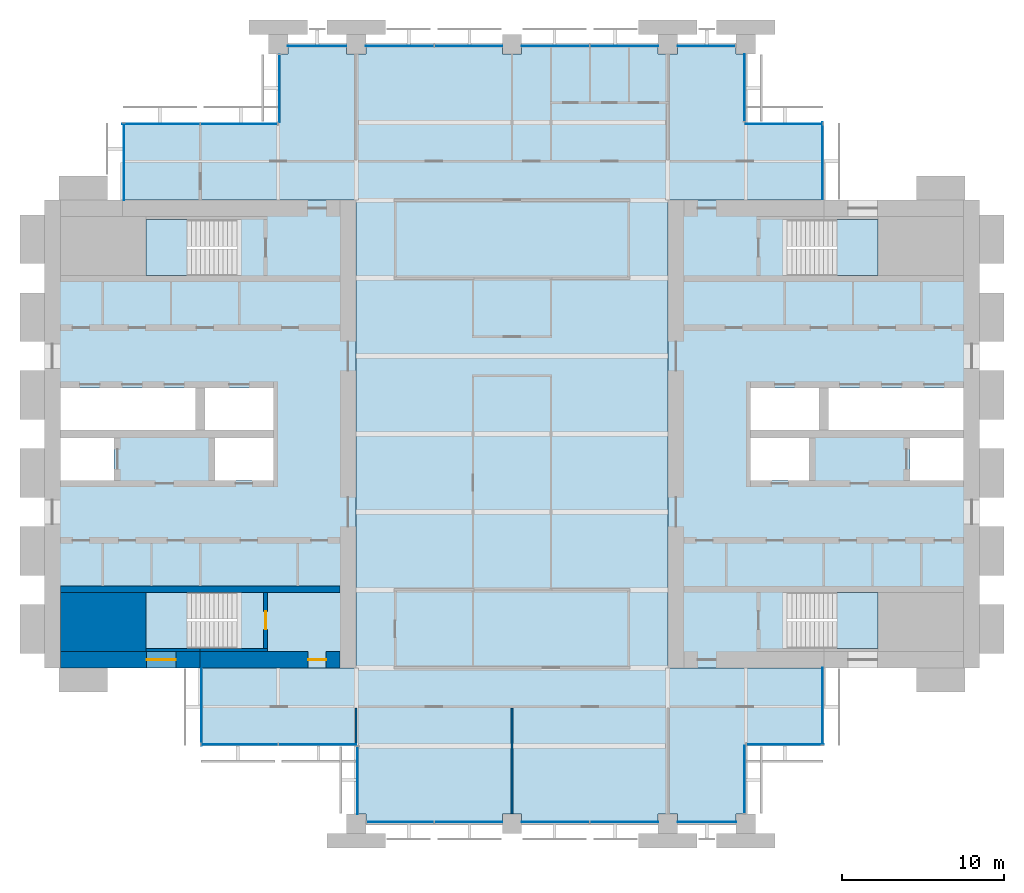
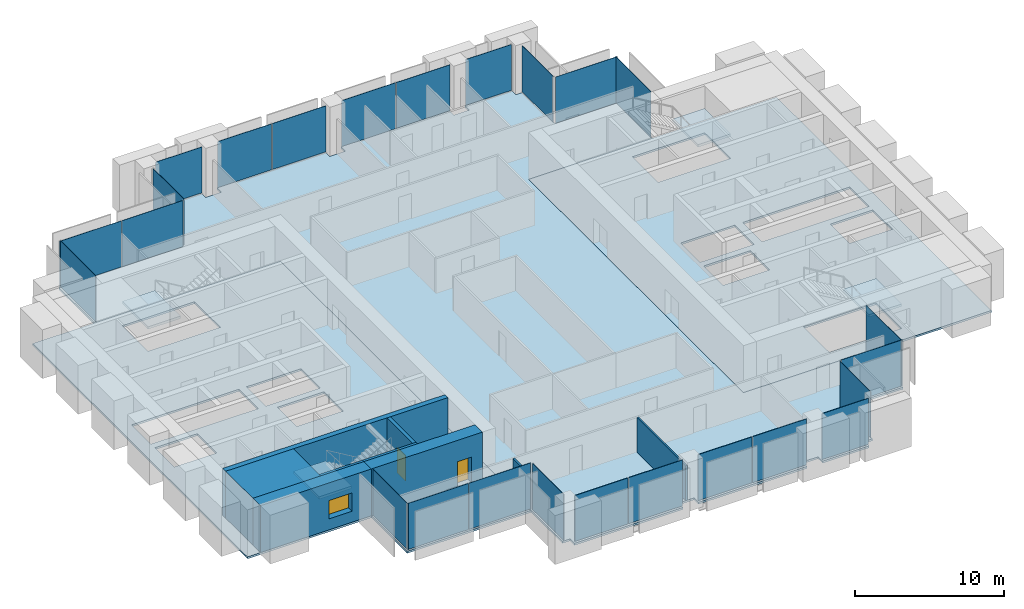
# One storey, part 8 of 14: 25 plates, 9 walls, 7 slabs, 2 doors, 1 window, 3 openings, 18 elements without a shape of their own.
"""IFC4 building model written with IfcOpenShell, lengths in metres."""

from ifc_helpers import new_model, si_unit, direction, frame, frame_2d, origin, origin_2d, place, context, subcontext, project, spatial, polyline, rectangle, outline, extrude, material, layer, layer_set, type_object, element, fill, aggregate, save


model = new_model("IFC4")

# Units and contexts
model_context = context("Model", 3, precision=1e-05, world=origin(), true_north=direction((0.0, 1.0)))
body_context = subcontext(model_context, "Body", "Model", "MODEL_VIEW")
ifc_project = project(units=[si_unit("LENGTHUNIT", "METRE"), si_unit("AREAUNIT", "SQUARE_METRE"), si_unit("VOLUMEUNIT", "CUBIC_METRE"), si_unit("PLANEANGLEUNIT", "RADIAN"), si_unit("MASSUNIT", "GRAM", prefix="KILO")], contexts=[model_context])

# Site, building, storey
site_placement = place(None, origin())
site = spatial("IfcSite", under=ifc_project, at=site_placement, CompositionType="ELEMENT")
building_placement = place(site_placement, origin())
building = spatial("IfcBuilding", under=site, at=building_placement, Name="Baori Bourse Tower", CompositionType="ELEMENT")
storey_placement = place(building_placement, frame((0.0, 0.0, 160.10009765625)))
storey = spatial("IfcBuildingStorey", under=building, at=storey_placement, Name="L35", CompositionType="ELEMENT", Elevation=160.10009765625)

# Curtain wall, plates
ifc_material_1 = material(Name="Pale anodised aluminium", Category="aluminium")
curtain_wall_type_1 = type_object("IfcCurtainWallType", Name="CW1 Curtain wall", PredefinedType="NOTDEFINED", material=ifc_material_1)
curtain_wall_1_placement = place(storey_placement, origin())
curtain_wall_1 = element("IfcCurtainWall", 1, at=curtain_wall_1_placement, inside=storey, type_object=curtain_wall_type_1, Name="Curtain wall CW1 L35 4", PredefinedType="NOTDEFINED")
ifc_material_2 = material(Name="Clear glass", Category="glass")
ifc_layer_1 = layer(ifc_material_2, 0.033935546875)
ifc_layer_set_1 = layer_set([ifc_layer_1], Name="CW1 Curtain wall panel")
plate_type_1 = type_object("IfcPlateType", Name="CW1 Curtain wall panel", PredefinedType="CURTAIN_PANEL", material=ifc_layer_set_1)
plate_1_placement = place(storey_placement, frame((40.77001953125, 47.89990234375, 0.080078125), z_axis=(0.0, 0.0, 1.0), x_axis=(-1.0, 0.0, 0.0)))
plate_1 = element("IfcPlate", 2, at=plate_1_placement, type_object=plate_type_1, Name="Curtain wall CW1 panel", PredefinedType="CURTAIN_PANEL", context=body_context, shape_type="SweptSolid", body=[
    extrude(rectangle(XDim=3.5400390625, YDim=0.033935546875, at=origin_2d()), origin(), (0.0, 0.0, 1.0), 3.760009765625),
])
plate_2_placement = place(storey_placement, frame((35.715087890625, 47.89990234375, 0.080078125), z_axis=(0.0, 0.0, 1.0), x_axis=(-1.0, 0.0, 0.0)))
plate_2 = element("IfcPlate", 3, at=plate_2_placement, type_object=plate_type_1, Name="Curtain wall CW1 panel", PredefinedType="CURTAIN_PANEL", context=body_context, shape_type="SweptSolid", body=[
    extrude(rectangle(XDim=4.169921875, YDim=0.033935546875, at=origin_2d()), origin(), (0.0, 0.0, 1.0), 3.760009765625),
])
plate_3_placement = place(storey_placement, frame((31.485107421875, 47.89990234375, 0.080078125), z_axis=(0.0, 0.0, 1.0), x_axis=(-1.0, 0.0, 0.0)))
plate_3 = element("IfcPlate", 4, at=plate_3_placement, type_object=plate_type_1, Name="Curtain wall CW1 panel", PredefinedType="CURTAIN_PANEL", context=body_context, shape_type="SweptSolid", body=[
    extrude(rectangle(XDim=4.169921875, YDim=0.033935546875, at=origin_2d()), origin(), (0.0, 0.0, 1.0), 3.760009765625),
])
plate_4_placement = place(storey_placement, frame((26.114990234375, 47.89990234375, 0.080078125), z_axis=(0.0, 0.0, 1.0), x_axis=(-1.0, 0.0, 0.0)))
plate_4 = element("IfcPlate", 5, at=plate_4_placement, type_object=plate_type_1, Name="Curtain wall CW1 panel", PredefinedType="CURTAIN_PANEL", context=body_context, shape_type="SweptSolid", body=[
    extrude(rectangle(XDim=4.169921875, YDim=0.033935546875, at=origin_2d()), origin(), (0.0, 0.0, 1.0), 3.760009765625),
])
plate_5_placement = place(storey_placement, frame((21.885009765625, 47.89990234375, 0.080078125), z_axis=(0.0, 0.0, 1.0), x_axis=(-1.0, 0.0, 0.0)))
plate_5 = element("IfcPlate", 6, at=plate_5_placement, type_object=plate_type_1, Name="Curtain wall CW1 panel", PredefinedType="CURTAIN_PANEL", context=body_context, shape_type="SweptSolid", body=[
    extrude(rectangle(XDim=4.169921875, YDim=0.033935546875, at=origin_2d()), origin(), (0.0, 0.0, 1.0), 3.760009765625),
])
plate_6_placement = place(storey_placement, frame((16.800048828125, 47.89990234375, 0.080078125), z_axis=(0.0, 0.0, 1.0), x_axis=(-1.0, 0.0, 0.0)))
plate_6 = element("IfcPlate", 7, at=plate_6_placement, type_object=plate_type_1, Name="Curtain wall CW1 panel", PredefinedType="CURTAIN_PANEL", context=body_context, shape_type="SweptSolid", body=[
    extrude(rectangle(XDim=3.60009765625, YDim=0.033935546875, at=origin_2d()), origin(), (0.0, 0.0, 1.0), 3.760009765625),
])
aggregate(curtain_wall_1, [plate_1, plate_2, plate_3, plate_4, plate_5, plate_6])

curtain_wall_2_placement = place(storey_placement, origin())
curtain_wall_2 = element("IfcCurtainWall", 8, at=curtain_wall_2_placement, inside=storey, type_object=curtain_wall_type_1, Name="Curtain wall CW1 L35 11", PredefinedType="NOTDEFINED")
plate_7_placement = place(storey_placement, frame((21.9150390625, 0.10009765625, 0.080078125), z_axis=(0.0, 0.0, 1.0), x_axis=(1.0, 0.0, 0.0)))
plate_7 = element("IfcPlate", 9, at=plate_7_placement, type_object=plate_type_1, Name="Curtain wall CW1 panel", PredefinedType="CURTAIN_PANEL", context=body_context, shape_type="SweptSolid", body=[
    extrude(rectangle(XDim=4.110107421875, YDim=0.033935546875, at=origin_2d()), origin(), (0.0, 0.0, 1.0), 3.760009765625),
])
plate_8_placement = place(storey_placement, frame((26.114990234375, 0.10009765625, 0.080078125), z_axis=(0.0, 0.0, 1.0), x_axis=(1.0, 0.0, 0.0)))
plate_8 = element("IfcPlate", 10, at=plate_8_placement, type_object=plate_type_1, Name="Curtain wall CW1 panel", PredefinedType="CURTAIN_PANEL", context=body_context, shape_type="SweptSolid", body=[
    extrude(rectangle(XDim=4.169921875, YDim=0.033935546875, at=origin_2d()), origin(), (0.0, 0.0, 1.0), 3.760009765625),
])
plate_9_placement = place(storey_placement, frame((31.485107421875, 0.10009765625, 0.080078125), z_axis=(0.0, 0.0, 1.0), x_axis=(1.0, 0.0, 0.0)))
plate_9 = element("IfcPlate", 11, at=plate_9_placement, type_object=plate_type_1, Name="Curtain wall CW1 panel", PredefinedType="CURTAIN_PANEL", context=body_context, shape_type="SweptSolid", body=[
    extrude(rectangle(XDim=4.169921875, YDim=0.033935546875, at=origin_2d()), origin(), (0.0, 0.0, 1.0), 3.760009765625),
])
plate_10_placement = place(storey_placement, frame((35.715087890625, 0.10009765625, 0.080078125), z_axis=(0.0, 0.0, 1.0), x_axis=(1.0, 0.0, 0.0)))
plate_10 = element("IfcPlate", 12, at=plate_10_placement, type_object=plate_type_1, Name="Curtain wall CW1 panel", PredefinedType="CURTAIN_PANEL", context=body_context, shape_type="SweptSolid", body=[
    extrude(rectangle(XDim=4.169921875, YDim=0.033935546875, at=origin_2d()), origin(), (0.0, 0.0, 1.0), 3.760009765625),
])
plate_11_placement = place(storey_placement, frame((40.800048828125, 0.10009765625, 0.080078125), z_axis=(0.0, 0.0, 1.0), x_axis=(1.0, 0.0, 0.0)))
plate_11 = element("IfcPlate", 13, at=plate_11_placement, type_object=plate_type_1, Name="Curtain wall CW1 panel", PredefinedType="CURTAIN_PANEL", context=body_context, shape_type="SweptSolid", body=[
    extrude(rectangle(XDim=3.60009765625, YDim=0.033935546875, at=origin_2d()), origin(), (0.0, 0.0, 1.0), 3.760009765625),
])
aggregate(curtain_wall_2, [plate_7, plate_8, plate_9, plate_10, plate_11])

# Curtain wall, plate
ifc_material_3 = material(Name="Pale anodised aluminium", Category="aluminium")
curtain_wall_type_2 = type_object("IfcCurtainWallType", Name="CW2 Curtain wall", PredefinedType="NOTDEFINED", material=ifc_material_3)
curtain_wall_3_placement = place(storey_placement, origin())
curtain_wall_3 = element("IfcCurtainWall", 14, at=curtain_wall_3_placement, inside=storey, type_object=curtain_wall_type_2, Name="Curtain wall CW2 L35 1", PredefinedType="NOTDEFINED")
ifc_material_4 = material(Name="Clear glass", Category="glass")
ifc_layer_2 = layer(ifc_material_4, 0.030029296875)
ifc_layer_set_2 = layer_set([ifc_layer_2], Name="CW2 Curtain wall panel")
plate_type_2 = type_object("IfcPlateType", Name="CW2 Curtain wall panel", PredefinedType="CURTAIN_PANEL", material=ifc_layer_set_2)
plate_12_placement = place(storey_placement, frame((47.909912109375, 40.827392578125, 0.06982421875), z_axis=(0.0, 0.0, 1.0), x_axis=(0.0, 1.0, 0.0)))
plate_12 = element("IfcPlate", 15, at=plate_12_placement, type_object=plate_type_2, Name="Curtain wall CW2 panel", PredefinedType="CURTAIN_PANEL", context=body_context, shape_type="SweptSolid", body=[
    extrude(rectangle(XDim=4.7451171875, YDim=0.030029296875, at=origin_2d()), origin(), (0.0, 0.0, 1.0), 3.77001953125),
])
aggregate(curtain_wall_3, [plate_12])

curtain_wall_4_placement = place(storey_placement, origin())
curtain_wall_4 = element("IfcCurtainWall", 16, at=curtain_wall_4_placement, inside=storey, type_object=curtain_wall_type_2, Name="Curtain wall CW2 L35 2", PredefinedType="NOTDEFINED")
plate_13_placement = place(storey_placement, frame((45.572509765625, 43.110107421875, 0.06982421875), z_axis=(0.0, 0.0, 1.0), x_axis=(-1.0, 0.0, 0.0)))
plate_13 = element("IfcPlate", 17, at=plate_13_placement, type_object=plate_type_2, Name="Curtain wall CW2 panel", PredefinedType="CURTAIN_PANEL", context=body_context, shape_type="SweptSolid", body=[
    extrude(rectangle(XDim=4.7451171875, YDim=0.030029296875, at=origin_2d()), origin(), (0.0, 0.0, 1.0), 3.77001953125),
])
aggregate(curtain_wall_4, [plate_13])

curtain_wall_5_placement = place(storey_placement, origin())
curtain_wall_5 = element("IfcCurtainWall", 18, at=curtain_wall_5_placement, inside=storey, type_object=curtain_wall_type_2, Name="Curtain wall CW2 L35 3", PredefinedType="NOTDEFINED")
plate_14_placement = place(storey_placement, frame((43.110107421875, 45.327392578125, 0.06982421875), z_axis=(0.0, 0.0, 1.0), x_axis=(0.0, 1.0, 0.0)))
plate_14 = element("IfcPlate", 19, at=plate_14_placement, type_object=plate_type_2, Name="Curtain wall CW2 panel", PredefinedType="CURTAIN_PANEL", context=body_context, shape_type="SweptSolid", body=[
    extrude(rectangle(XDim=4.14501953125, YDim=0.030029296875, at=origin_2d()), origin(), (0.0, 0.0, 1.0), 3.77001953125),
])
aggregate(curtain_wall_5, [plate_14])

curtain_wall_6_placement = place(storey_placement, origin())
curtain_wall_6 = element("IfcCurtainWall", 20, at=curtain_wall_6_placement, inside=storey, type_object=curtain_wall_type_2, Name="Curtain wall CW2 L35 5", PredefinedType="NOTDEFINED")
plate_15_placement = place(storey_placement, frame((14.489990234375, 45.2724609375, 0.06982421875), z_axis=(0.0, 0.0, 1.0), x_axis=(0.0, -1.0, 0.0)))
plate_15 = element("IfcPlate", 21, at=plate_15_placement, type_object=plate_type_2, Name="Curtain wall CW2 panel", PredefinedType="CURTAIN_PANEL", context=body_context, shape_type="SweptSolid", body=[
    extrude(rectangle(XDim=4.14501953125, YDim=0.030029296875, at=origin_2d()), origin(), (0.0, 0.0, 1.0), 3.77001953125),
])
aggregate(curtain_wall_6, [plate_15])

# Curtain wall, plates
curtain_wall_7_placement = place(storey_placement, origin())
curtain_wall_7 = element("IfcCurtainWall", 22, at=curtain_wall_7_placement, inside=storey, type_object=curtain_wall_type_2, Name="Curtain wall CW2 L35 6", PredefinedType="NOTDEFINED")
plate_16_placement = place(storey_placement, frame((11.986328125, 43.110107421875, 0.06982421875), z_axis=(0.0, 0.0, 1.0), x_axis=(-1.0, 0.0, 0.0)))
plate_16 = element("IfcPlate", 23, at=plate_16_placement, type_object=plate_type_2, Name="Curtain wall CW2 panel", PredefinedType="CURTAIN_PANEL", context=body_context, shape_type="SweptSolid", body=[
    extrude(rectangle(XDim=4.717529296875, YDim=0.030029296875, at=origin_2d()), origin(), (0.0, 0.0, 1.0), 3.77001953125),
])
plate_17_placement = place(storey_placement, frame((7.186279296875, 43.110107421875, 0.06982421875), z_axis=(0.0, 0.0, 1.0), x_axis=(-1.0, 0.0, 0.0)))
plate_17 = element("IfcPlate", 24, at=plate_17_placement, type_object=plate_type_2, Name="Curtain wall CW2 panel", PredefinedType="CURTAIN_PANEL", context=body_context, shape_type="SweptSolid", body=[
    extrude(rectangle(XDim=4.7724609375, YDim=0.030029296875, at=origin_2d()), origin(), (0.0, 0.0, 1.0), 3.77001953125),
])
aggregate(curtain_wall_7, [plate_16, plate_17])

# Curtain wall, plate
curtain_wall_8_placement = place(storey_placement, origin())
curtain_wall_8 = element("IfcCurtainWall", 25, at=curtain_wall_8_placement, inside=storey, type_object=curtain_wall_type_2, Name="Curtain wall CW2 L35 7", PredefinedType="NOTDEFINED")
plate_18_placement = place(storey_placement, frame((4.889892578125, 40.7724609375, 0.06982421875), z_axis=(0.0, 0.0, 1.0), x_axis=(0.0, -1.0, 0.0)))
plate_18 = element("IfcPlate", 26, at=plate_18_placement, type_object=plate_type_2, Name="Curtain wall CW2 panel", PredefinedType="CURTAIN_PANEL", context=body_context, shape_type="SweptSolid", body=[
    extrude(rectangle(XDim=4.7451171875, YDim=0.030029296875, at=origin_2d()), origin(), (0.0, 0.0, 1.0), 3.77001953125),
])
aggregate(curtain_wall_8, [plate_18])

curtain_wall_9_placement = place(storey_placement, origin())
curtain_wall_9 = element("IfcCurtainWall", 27, at=curtain_wall_9_placement, inside=storey, type_object=curtain_wall_type_2, Name="Curtain wall CW2 L35 8", PredefinedType="NOTDEFINED")
plate_19_placement = place(storey_placement, frame((9.68994140625, 7.172607421875, 0.06982421875), z_axis=(0.0, 0.0, 1.0), x_axis=(0.0, -1.0, 0.0)))
plate_19 = element("IfcPlate", 28, at=plate_19_placement, type_object=plate_type_2, Name="Curtain wall CW2 panel", PredefinedType="CURTAIN_PANEL", context=body_context, shape_type="SweptSolid", body=[
    extrude(rectangle(XDim=4.7451171875, YDim=0.030029296875, at=origin_2d()), origin(), (0.0, 0.0, 1.0), 3.77001953125),
])
aggregate(curtain_wall_9, [plate_19])

# Curtain wall, plates
curtain_wall_10_placement = place(storey_placement, origin())
curtain_wall_10 = element("IfcCurtainWall", 29, at=curtain_wall_10_placement, inside=storey, type_object=curtain_wall_type_2, Name="Curtain wall CW2 L35 9", PredefinedType="NOTDEFINED")
plate_20_placement = place(storey_placement, frame((12.013671875, 4.889892578125, 0.06982421875), z_axis=(0.0, 0.0, 1.0), x_axis=(1.0, 0.0, 0.0)))
plate_20 = element("IfcPlate", 30, at=plate_20_placement, type_object=plate_type_2, Name="Curtain wall CW2 panel", PredefinedType="CURTAIN_PANEL", context=body_context, shape_type="SweptSolid", body=[
    extrude(rectangle(XDim=4.717529296875, YDim=0.030029296875, at=origin_2d()), origin(), (0.0, 0.0, 1.0), 3.77001953125),
])
plate_21_placement = place(storey_placement, frame((16.813720703125, 4.889892578125, 0.06982421875), z_axis=(0.0, 0.0, 1.0), x_axis=(1.0, 0.0, 0.0)))
plate_21 = element("IfcPlate", 31, at=plate_21_placement, type_object=plate_type_2, Name="Curtain wall CW2 panel", PredefinedType="CURTAIN_PANEL", context=body_context, shape_type="SweptSolid", body=[
    extrude(rectangle(XDim=4.7724609375, YDim=0.030029296875, at=origin_2d()), origin(), (0.0, 0.0, 1.0), 3.77001953125),
])
aggregate(curtain_wall_10, [plate_20, plate_21])

# Curtain wall, plate
curtain_wall_11_placement = place(storey_placement, origin())
curtain_wall_11 = element("IfcCurtainWall", 32, at=curtain_wall_11_placement, inside=storey, type_object=curtain_wall_type_2, Name="Curtain wall CW2 L35 10", PredefinedType="NOTDEFINED")
plate_22_placement = place(storey_placement, frame((19.2900390625, 2.672607421875, 0.06982421875), z_axis=(0.0, 0.0, 1.0), x_axis=(0.0, -1.0, 0.0)))
plate_22 = element("IfcPlate", 33, at=plate_22_placement, type_object=plate_type_2, Name="Curtain wall CW2 panel", PredefinedType="CURTAIN_PANEL", context=body_context, shape_type="SweptSolid", body=[
    extrude(rectangle(XDim=4.14501953125, YDim=0.030029296875, at=origin_2d()), origin(), (0.0, 0.0, 1.0), 3.77001953125),
])
aggregate(curtain_wall_11, [plate_22])

curtain_wall_12_placement = place(storey_placement, origin())
curtain_wall_12 = element("IfcCurtainWall", 34, at=curtain_wall_12_placement, inside=storey, type_object=curtain_wall_type_2, Name="Curtain wall CW2 L35 12", PredefinedType="NOTDEFINED")
plate_23_placement = place(storey_placement, frame((43.110107421875, 2.7275390625, 0.06982421875), z_axis=(0.0, 0.0, 1.0), x_axis=(0.0, 1.0, 0.0)))
plate_23 = element("IfcPlate", 35, at=plate_23_placement, type_object=plate_type_2, Name="Curtain wall CW2 panel", PredefinedType="CURTAIN_PANEL", context=body_context, shape_type="SweptSolid", body=[
    extrude(rectangle(XDim=4.14501953125, YDim=0.030029296875, at=origin_2d()), origin(), (0.0, 0.0, 1.0), 3.77001953125),
])
aggregate(curtain_wall_12, [plate_23])

curtain_wall_13_placement = place(storey_placement, origin())
curtain_wall_13 = element("IfcCurtainWall", 36, at=curtain_wall_13_placement, inside=storey, type_object=curtain_wall_type_2, Name="Curtain wall CW2 L35 13", PredefinedType="NOTDEFINED")
plate_24_placement = place(storey_placement, frame((45.62744140625, 4.889892578125, 0.06982421875), z_axis=(0.0, 0.0, 1.0), x_axis=(1.0, 0.0, 0.0)))
plate_24 = element("IfcPlate", 37, at=plate_24_placement, type_object=plate_type_2, Name="Curtain wall CW2 panel", PredefinedType="CURTAIN_PANEL", context=body_context, shape_type="SweptSolid", body=[
    extrude(rectangle(XDim=4.7451171875, YDim=0.030029296875, at=origin_2d()), origin(), (0.0, 0.0, 1.0), 3.77001953125),
])
aggregate(curtain_wall_13, [plate_24])

curtain_wall_14_placement = place(storey_placement, origin())
curtain_wall_14 = element("IfcCurtainWall", 38, at=curtain_wall_14_placement, inside=storey, type_object=curtain_wall_type_2, Name="Curtain wall CW2 L35 14", PredefinedType="NOTDEFINED")
plate_25_placement = place(storey_placement, frame((47.909912109375, 7.2275390625, 0.06982421875), z_axis=(0.0, 0.0, 1.0), x_axis=(0.0, 1.0, 0.0)))
plate_25 = element("IfcPlate", 39, at=plate_25_placement, type_object=plate_type_2, Name="Curtain wall CW2 panel", PredefinedType="CURTAIN_PANEL", context=body_context, shape_type="SweptSolid", body=[
    extrude(rectangle(XDim=4.7451171875, YDim=0.030029296875, at=origin_2d()), origin(), (0.0, 0.0, 1.0), 3.77001953125),
])
aggregate(curtain_wall_14, [plate_25])

# Slabs
ifc_material_5 = material(Name="Concrete f'c 50 MPa", Category="concrete")
ifc_layer_3 = layer(ifc_material_5, 0.159912109375)
ifc_layer_set_3 = layer_set([ifc_layer_3], Name="Core slab 160")
slab_type_1 = type_object("IfcSlabType", Name="Core slab 160", PredefinedType="FLOOR", material=ifc_layer_set_3)
slab_1_placement = place(storey_placement, frame((0.0, 0.0, -0.16015625)))
element("IfcSlab", 40, at=slab_1_placement, inside=storey, type_object=slab_type_1, Name="Core floor slab W01", PredefinedType="FLOOR", context=body_context, shape_type="SweptSolid", body=[
    extrude(outline(polyline([(0.0, 38.39990234375), (0.0, 9.60009765625), (19.199951171875, 9.60009765625), (19.199951171875, 38.39990234375), (0.0, 38.39990234375)]), holes=[polyline([(10.5, 21.14990234375), (10.5, 23.75), (14.10009765625, 23.75), (14.10009765625, 21.14990234375), (10.5, 21.14990234375)]), polyline([(14.10009765625, 24.25), (9.89990234375, 24.25), (9.89990234375, 26.85009765625), (14.10009765625, 26.85009765625), (14.10009765625, 24.25)]), polyline([(6.25, 14.25), (11.84912109375, 14.25), (11.84912109375, 10.800048828125), (6.25, 10.800048828125), (6.25, 14.25)]), polyline([(11.84912109375, 37.199951171875), (11.84912109375, 33.75), (6.25, 33.75), (6.25, 37.199951171875), (11.84912109375, 37.199951171875)]), polyline([(1.0, 26.85009765625), (9.300048828125, 26.85009765625), (9.300048828125, 24.25), (1.0, 24.25), (1.0, 26.85009765625)]), polyline([(4.300048828125, 23.75), (4.300048828125, 21.14990234375), (1.0, 21.14990234375), (1.0, 23.75), (4.300048828125, 23.75)])]), origin(), (0.0, 0.0, 1.0), 0.16015625),
])
slab_2_placement = place(storey_placement, frame((0.0, 0.0, -0.16015625)))
element("IfcSlab", 41, at=slab_2_placement, inside=storey, type_object=slab_type_1, Name="Core floor slab E01", PredefinedType="FLOOR", context=body_context, shape_type="SweptSolid", body=[
    extrude(outline(polyline([(57.60009765625, 38.39990234375), (38.39990234375, 38.39990234375), (38.39990234375, 9.60009765625), (57.60009765625, 9.60009765625), (57.60009765625, 38.39990234375)]), holes=[polyline([(56.60009765625, 21.14990234375), (53.300048828125, 21.14990234375), (53.300048828125, 23.75), (56.60009765625, 23.75), (56.60009765625, 21.14990234375)]), polyline([(56.60009765625, 26.85009765625), (56.60009765625, 24.25), (48.300048828125, 24.25), (48.300048828125, 26.85009765625), (56.60009765625, 26.85009765625)]), polyline([(45.750732421875, 14.25), (51.35009765625, 14.25), (51.35009765625, 10.800048828125), (45.750732421875, 10.800048828125), (45.750732421875, 14.25)]), polyline([(51.35009765625, 37.199951171875), (51.35009765625, 33.75), (45.750732421875, 33.75), (45.750732421875, 37.199951171875), (51.35009765625, 37.199951171875)]), polyline([(43.5, 24.25), (43.5, 26.85009765625), (47.699951171875, 26.85009765625), (47.699951171875, 24.25), (43.5, 24.25)]), polyline([(43.5, 23.75), (47.10009765625, 23.75), (47.10009765625, 21.14990234375), (43.5, 21.14990234375), (43.5, 23.75)])]), origin(), (0.0, 0.0, 1.0), 0.16015625),
])

# Stair, slab
ifc_material_6 = material(Name="Concrete f'c 50 MPa", Category="concrete")
stair_type = type_object("IfcStairType", Name="Core stair", PredefinedType="HALF_TURN_STAIR", material=ifc_material_6)
stair_1_placement = place(storey_placement, origin())
stair_1 = element("IfcStair", 42, at=stair_1_placement, inside=storey, type_object=stair_type, Name="L35 Stair WA", PredefinedType="HALF_TURN_STAIR")
ifc_material_7 = material(Name="Concrete f'c 50 MPa", Category="concrete")
slab_type_2 = type_object("IfcSlabType", Name="Core stair landing", PredefinedType="LANDING", material=ifc_material_7)
slab_3_placement = place(storey_placement, frame((0.0, 0.0, 1.7998046875)))
slab_3 = element("IfcSlab", 43, at=slab_3_placement, type_object=slab_type_2, Name="ST1 landing 1", PredefinedType="LANDING", context=body_context, shape_type="SweptSolid", body=[
    extrude(outline(polyline([(8.77001953125, 14.25), (6.25, 14.25), (6.25, 10.800048828125), (8.77001953125, 10.800048828125), (8.77001953125, 14.25)])), origin(), (0.0, 0.0, 1.0), 0.2001953125),
])
aggregate(stair_1, [slab_3])

stair_2_placement = place(storey_placement, origin())
stair_2 = element("IfcStair", 44, at=stair_2_placement, inside=storey, type_object=stair_type, Name="L35 Stair WB", PredefinedType="HALF_TURN_STAIR")
slab_4_placement = place(storey_placement, frame((0.0, 0.0, 1.7998046875)))
slab_4 = element("IfcSlab", 45, at=slab_4_placement, type_object=slab_type_2, Name="ST2 landing 1", PredefinedType="LANDING", context=body_context, shape_type="SweptSolid", body=[
    extrude(outline(polyline([(8.77001953125, 37.199951171875), (6.25, 37.199951171875), (6.25, 33.75), (8.77001953125, 33.75), (8.77001953125, 37.199951171875)])), origin(), (0.0, 0.0, 1.0), 0.2001953125),
])
aggregate(stair_2, [slab_4])

stair_3_placement = place(storey_placement, origin())
stair_3 = element("IfcStair", 46, at=stair_3_placement, inside=storey, type_object=stair_type, Name="L35 Stair EA", PredefinedType="HALF_TURN_STAIR")
slab_5_placement = place(storey_placement, frame((0.0, 0.0, 1.7998046875)))
slab_5 = element("IfcSlab", 47, at=slab_5_placement, type_object=slab_type_2, Name="ST3 landing 1", PredefinedType="LANDING", context=body_context, shape_type="SweptSolid", body=[
    extrude(outline(polyline([(48.830078125, 10.800048828125), (51.35009765625, 10.800048828125), (51.35009765625, 14.25), (48.830078125, 14.25), (48.830078125, 10.800048828125)])), origin(), (0.0, 0.0, 1.0), 0.2001953125),
])
aggregate(stair_3, [slab_5])

stair_4_placement = place(storey_placement, origin())
stair_4 = element("IfcStair", 48, at=stair_4_placement, inside=storey, type_object=stair_type, Name="L35 Stair EB", PredefinedType="HALF_TURN_STAIR")
slab_6_placement = place(storey_placement, frame((0.0, 0.0, 1.7998046875)))
slab_6 = element("IfcSlab", 49, at=slab_6_placement, type_object=slab_type_2, Name="ST4 landing 1", PredefinedType="LANDING", context=body_context, shape_type="SweptSolid", body=[
    extrude(outline(polyline([(48.830078125, 33.75), (51.35009765625, 33.75), (51.35009765625, 37.199951171875), (48.830078125, 37.199951171875), (48.830078125, 33.75)])), origin(), (0.0, 0.0, 1.0), 0.2001953125),
])
aggregate(stair_4, [slab_6])

# Slab
ifc_material_8 = material(Name="Concrete f'c 40 MPa", Category="concrete")
ifc_layer_4 = layer(ifc_material_8, 0.159912109375)
ifc_layer_set_4 = layer_set([ifc_layer_4], Name="Floor slab 160")
slab_type_3 = type_object("IfcSlabType", Name="Floor slab 160", PredefinedType="FLOOR", material=ifc_layer_set_4)
slab_7_placement = place(storey_placement, frame((0.0, 0.0, -0.16015625)))
element("IfcSlab", 50, at=slab_7_placement, inside=storey, type_object=slab_type_3, Name="Floor slab L35", PredefinedType="FLOOR", context=body_context, shape_type="SweptSolid", body=[
    extrude(outline(polyline([(19.199951171875, 4.800048828125), (9.60009765625, 4.800048828125), (9.60009765625, 9.60009765625), (19.199951171875, 9.60009765625), (19.199951171875, 38.39990234375), (4.800048828125, 38.39990234375), (4.800048828125, 43.199951171875), (14.39990234375, 43.199951171875), (14.39990234375, 47.39990234375), (15.0, 47.39990234375), (15.0, 48.0), (18.60009765625, 48.0), (18.60009765625, 47.39990234375), (19.800048828125, 47.39990234375), (19.800048828125, 48.0), (28.199951171875, 48.0), (28.199951171875, 47.39990234375), (29.39990234375, 47.39990234375), (29.39990234375, 48.0), (37.800048828125, 48.0), (37.800048828125, 47.39990234375), (39.0, 47.39990234375), (39.0, 48.0), (42.60009765625, 48.0), (42.60009765625, 47.39990234375), (43.199951171875, 47.39990234375), (43.199951171875, 43.199951171875), (48.0, 43.199951171875), (48.0, 38.39990234375), (38.39990234375, 38.39990234375), (38.39990234375, 9.60009765625), (48.0, 9.60009765625), (48.0, 4.800048828125), (43.199951171875, 4.800048828125), (43.199951171875, 0.60009765625), (42.60009765625, 0.60009765625), (42.60009765625, 0.0), (39.0, 0.0), (39.0, 0.60009765625), (37.800048828125, 0.60009765625), (37.800048828125, 0.0), (29.39990234375, 0.0), (29.39990234375, 0.60009765625), (28.199951171875, 0.60009765625), (28.199951171875, 0.0), (19.800048828125, 0.0), (19.800048828125, 0.60009765625), (19.199951171875, 0.60009765625), (19.199951171875, 4.800048828125)])), origin(), (0.0, 0.0, 1.0), 0.16015625),
])

# Wall
ifc_material_9 = material(Name="Concrete f'c 60 MPa", Category="concrete")
wall_type_1 = type_object("IfcWallType", Name="Core corner block f'c 60", PredefinedType="SHEAR", material=ifc_material_9)
wall_1_placement = place(storey_placement, frame((1.0, 12.425048828125, 0.0), z_axis=(0.0, 0.0, 1.0), x_axis=(1.0, 0.0, 0.0)))
element("IfcWall", 51, at=wall_1_placement, inside=storey, type_object=wall_type_1, Name="Core wall W05", PredefinedType="SHEAR", context=body_context, shape_type="SweptSolid", body=[
    extrude(rectangle(XDim=5.25, YDim=3.64990234375, at=frame_2d((2.625, 0.0))), origin(), (0.0, 0.0, 1.0), 3.83984375),
])

# Wall, opening, window
ifc_material_10 = material(Name="Concrete f'c 60 MPa", Category="concrete")
ifc_layer_5 = layer(ifc_material_10, 1.0)
ifc_layer_set_5 = layer_set([ifc_layer_5], Name="Core wall 1000 f'c 60")
wall_type_2 = type_object("IfcWallType", Name="Core wall 1000 f'c 60", PredefinedType="SHEAR", material=ifc_layer_set_5)
wall_2_placement = place(storey_placement, frame((9.60009765625, 10.10009765625, 0.0), z_axis=(0.0, 0.0, 1.0), x_axis=(-1.0, 0.0, 0.0)))
wall_2 = element("IfcWall", 52, at=wall_2_placement, inside=storey, type_object=wall_type_2, Name="Core wall W02", PredefinedType="SHEAR", context=body_context, shape_type="SweptSolid", body=[
    extrude(rectangle(XDim=8.60009765625, YDim=1.0, at=frame_2d((4.300048828125, 0.0))), origin(), (0.0, 0.0, 1.0), 3.83984375),
])
opening_1_placement = place(wall_2_placement, frame((1.5, 0.0, 0.89990234375)))
opening_1 = element("IfcOpeningElement", 53, at=opening_1_placement, cuts=wall_2, Name="Opening L35-KW103", PredefinedType="OPENING", context=body_context, shape_type="SweptSolid", body=[
    extrude(rectangle(XDim=1.800048828125, YDim=1.5, at=frame_2d((0.89990234375, 0.75))), frame((0.0, 0.510009765625, 0.0), z_axis=(0.0, -1.0, 0.0), x_axis=(1.0, 0.0, 0.0)), (0.0, 0.0, 1.0), 1.02001953125),
])
ifc_material_11 = material(Name="Pale anodised aluminium", Category="aluminium")
window_type = type_object("IfcWindowType", Name="Stair window 1800 x 1500", PartitioningType="SINGLE_PANEL", PredefinedType="WINDOW", material=ifc_material_11)
window_placement = place(opening_1_placement, origin())
window = element("IfcWindow", 54, at=window_placement, inside=storey, type_object=window_type, Name="Stair window W L35 3", OverallHeight=1.5, OverallWidth=1.800048828125, PartitioningType="SINGLE_PANEL", PredefinedType="WINDOW", context=body_context, shape_type="SweptSolid", body=[
    extrude(rectangle(XDim=1.800048828125, YDim=1.5, at=frame_2d((0.89990234375, 0.75))), frame((0.0, 0.030029296875, 0.0), z_axis=(0.0, -1.0, 0.0), x_axis=(1.0, 0.0, 0.0)), (0.0, 0.0, 1.0), 0.06005859375),
])
fill(opening_1, window)

# Wall, opening, door
wall_3_placement = place(storey_placement, frame((18.199951171875, 10.10009765625, 0.0), z_axis=(0.0, 0.0, 1.0), x_axis=(-1.0, 0.0, 0.0)))
wall_3 = element("IfcWall", 55, at=wall_3_placement, inside=storey, type_object=wall_type_2, Name="Core wall W03", PredefinedType="SHEAR", context=body_context, shape_type="SweptSolid", body=[
    extrude(rectangle(XDim=8.599853515625, YDim=1.0, at=frame_2d((4.2998046875, 0.0))), origin(), (0.0, 0.0, 1.0), 3.83984375),
])
opening_2_placement = place(wall_3_placement, frame((0.85009765625, 0.0, 0.0)))
opening_2 = element("IfcOpeningElement", 56, at=opening_2_placement, cuts=wall_3, Name="Opening L35-D102", PredefinedType="OPENING", context=body_context, shape_type="SweptSolid", body=[
    extrude(rectangle(XDim=1.10009765625, YDim=2.10009765625, at=frame_2d((0.550048828125, 1.050048828125))), frame((0.0, 0.510009765625, 0.0), z_axis=(0.0, -1.0, 0.0), x_axis=(1.0, 0.0, 0.0)), (0.0, 0.0, 1.0), 1.02001953125),
])
ifc_material_12 = material(Name="Painted steel door", Category="steel")
door_type = type_object("IfcDoorType", Name="Stair door 1100", OperationType="SINGLE_SWING_LEFT", PredefinedType="DOOR", material=ifc_material_12)
door_1_placement = place(opening_2_placement, origin())
door_1 = element("IfcDoor", 57, at=door_1_placement, inside=storey, type_object=door_type, Name="Stair vestibule door A W L35", OperationType="SINGLE_SWING_LEFT", OverallHeight=2.10009765625, OverallWidth=1.10009765625, PredefinedType="DOOR", context=body_context, shape_type="SweptSolid", body=[
    extrude(rectangle(XDim=1.10009765625, YDim=2.10009765625, at=frame_2d((0.550048828125, 1.050048828125))), frame((0.0, 0.02490234375, 0.0), z_axis=(0.0, -1.0, 0.0), x_axis=(1.0, 0.0, 0.0)), (0.0, 0.0, 1.0), 0.050048828125),
])
fill(opening_2, door_1)

# Walls
ifc_material_13 = material(Name="Gypsum board partition")
ifc_layer_6 = layer(ifc_material_13, 0.125)
ifc_layer_set_6 = layer_set([ifc_layer_6], Name="Partition 125")
wall_type_3 = type_object("IfcWallType", Name="Partition 125", PredefinedType="PARTITIONING", material=ifc_layer_set_6)
wall_4_placement = place(storey_placement, frame((19.199951171875, 4.89990234375, 0.0), z_axis=(0.0, 0.0, 1.0), x_axis=(0.0, 1.0, 0.0)))
element("IfcWall", 58, at=wall_4_placement, inside=storey, type_object=wall_type_3, Name="Partition", PredefinedType="PARTITIONING", context=body_context, shape_type="SweptSolid", body=[
    extrude(rectangle(XDim=2.22509765625, YDim=0.125, at=frame_2d((1.112548828125, 0.0))), origin(), (0.0, 0.0, 1.0), 2.849365234375),
])
wall_5_placement = place(storey_placement, frame((28.800048828125, 0.60009765625, 0.0), z_axis=(0.0, 0.0, 1.0), x_axis=(0.0, 1.0, 0.0)))
element("IfcWall", 59, at=wall_5_placement, inside=storey, type_object=wall_type_3, Name="Partition", PredefinedType="PARTITIONING", context=body_context, shape_type="SweptSolid", body=[
    extrude(rectangle(XDim=6.52490234375, YDim=0.125, at=frame_2d((3.262451171875, 0.0))), origin(), (0.0, 0.0, 1.0), 2.849365234375),
])
ifc_material_14 = material(Name="Concrete f'c 60 MPa", Category="concrete")
ifc_layer_7 = layer(ifc_material_14, 0.199951171875)
ifc_layer_set_7 = layer_set([ifc_layer_7], Name="Shaft wall 200 f'c 60")
wall_type_4 = type_object("IfcWallType", Name="Shaft wall 200 f'c 60", PredefinedType="SHEAR", material=ifc_layer_set_7)
wall_6_placement = place(storey_placement, frame((6.25, 10.699951171875, 0.0), z_axis=(0.0, 0.0, 1.0), x_axis=(1.0, 0.0, 0.0)))
element("IfcWall", 60, at=wall_6_placement, inside=storey, type_object=wall_type_4, Name="Core wall W06", PredefinedType="SHEAR", context=body_context, shape_type="SweptSolid", body=[
    extrude(rectangle(XDim=3.35009765625, YDim=0.199951171875, at=frame_2d((1.675048828125, 0.0))), origin(), (0.0, 0.0, 1.0), 3.83984375),
])
wall_7_placement = place(storey_placement, frame((9.60009765625, 10.699951171875, 0.0), z_axis=(0.0, 0.0, 1.0), x_axis=(1.0, 0.0, 0.0)))
element("IfcWall", 61, at=wall_7_placement, inside=storey, type_object=wall_type_4, Name="Core wall W07", PredefinedType="SHEAR", context=body_context, shape_type="SweptSolid", body=[
    extrude(rectangle(XDim=4.14990234375, YDim=0.199951171875, at=frame_2d((2.074951171875, 0.0))), origin(), (0.0, 0.0, 1.0), 3.83984375),
])

# Wall, opening, door
ifc_material_15 = material(Name="Concrete f'c 60 MPa", Category="concrete")
ifc_layer_8 = layer(ifc_material_15, 0.25)
ifc_layer_set_8 = layer_set([ifc_layer_8], Name="Shaft wall 250 f'c 60")
wall_type_5 = type_object("IfcWallType", Name="Shaft wall 250 f'c 60", PredefinedType="SHEAR", material=ifc_layer_set_8)
wall_8_placement = place(storey_placement, frame((13.625, 10.800048828125, 0.0), z_axis=(0.0, 0.0, 1.0), x_axis=(0.0, 1.0, 0.0)))
wall_8 = element("IfcWall", 62, at=wall_8_placement, inside=storey, type_object=wall_type_5, Name="Core wall W08", PredefinedType="SHEAR", context=body_context, shape_type="SweptSolid", body=[
    extrude(rectangle(XDim=3.449951171875, YDim=0.25, at=frame_2d((1.72509765625, 0.0))), origin(), (0.0, 0.0, 1.0), 3.83984375),
])
opening_3_placement = place(wall_8_placement, frame((1.175048828125, 0.0, 0.0)))
opening_3 = element("IfcOpeningElement", 63, at=opening_3_placement, cuts=wall_8, Name="Opening L35-D101", PredefinedType="OPENING", context=body_context, shape_type="SweptSolid", body=[
    extrude(rectangle(XDim=1.10009765625, YDim=2.10009765625, at=frame_2d((0.550048828125, 1.050048828125))), frame((0.0, 0.135009765625, 0.0), z_axis=(0.0, -1.0, 0.0), x_axis=(1.0, 0.0, 0.0)), (0.0, 0.0, 1.0), 0.27001953125),
])
door_2_placement = place(opening_3_placement, origin())
door_2 = element("IfcDoor", 64, at=door_2_placement, inside=storey, type_object=door_type, Name="Stair door A W L35", OperationType="SINGLE_SWING_LEFT", OverallHeight=2.10009765625, OverallWidth=1.10009765625, PredefinedType="DOOR", context=body_context, shape_type="SweptSolid", body=[
    extrude(rectangle(XDim=1.10009765625, YDim=2.10009765625, at=frame_2d((0.550048828125, 1.050048828125))), frame((0.0, 0.02490234375, 0.0), z_axis=(0.0, -1.0, 0.0), x_axis=(1.0, 0.0, 0.0)), (0.0, 0.0, 1.0), 0.050048828125),
])
fill(opening_3, door_2)

# Wall
ifc_material_16 = material(Name="Concrete f'c 60 MPa", Category="concrete")
ifc_layer_9 = layer(ifc_material_16, 0.39990234375)
ifc_layer_set_9 = layer_set([ifc_layer_9], Name="Shaft wall 400 f'c 60")
wall_type_6 = type_object("IfcWallType", Name="Shaft wall 400 f'c 60", PredefinedType="SHEAR", material=ifc_layer_set_9)
wall_9_placement = place(storey_placement, frame((1.0, 14.449951171875, 0.0), z_axis=(0.0, 0.0, 1.0), x_axis=(1.0, 0.0, 0.0)))
element("IfcWall", 65, at=wall_9_placement, inside=storey, type_object=wall_type_6, Name="Core wall W09", PredefinedType="SHEAR", context=body_context, shape_type="SweptSolid", body=[
    extrude(rectangle(XDim=17.199951171875, YDim=0.39990234375, at=frame_2d((8.60009765625, 0.0))), origin(), (0.0, 0.0, 1.0), 3.83984375),
])

save(model, "model.ifc")
